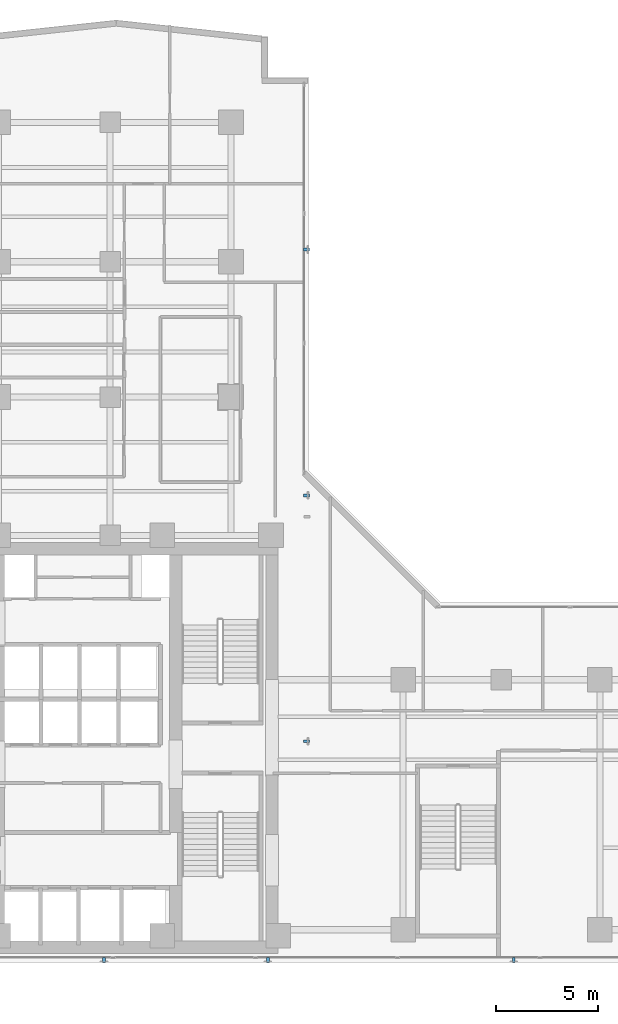
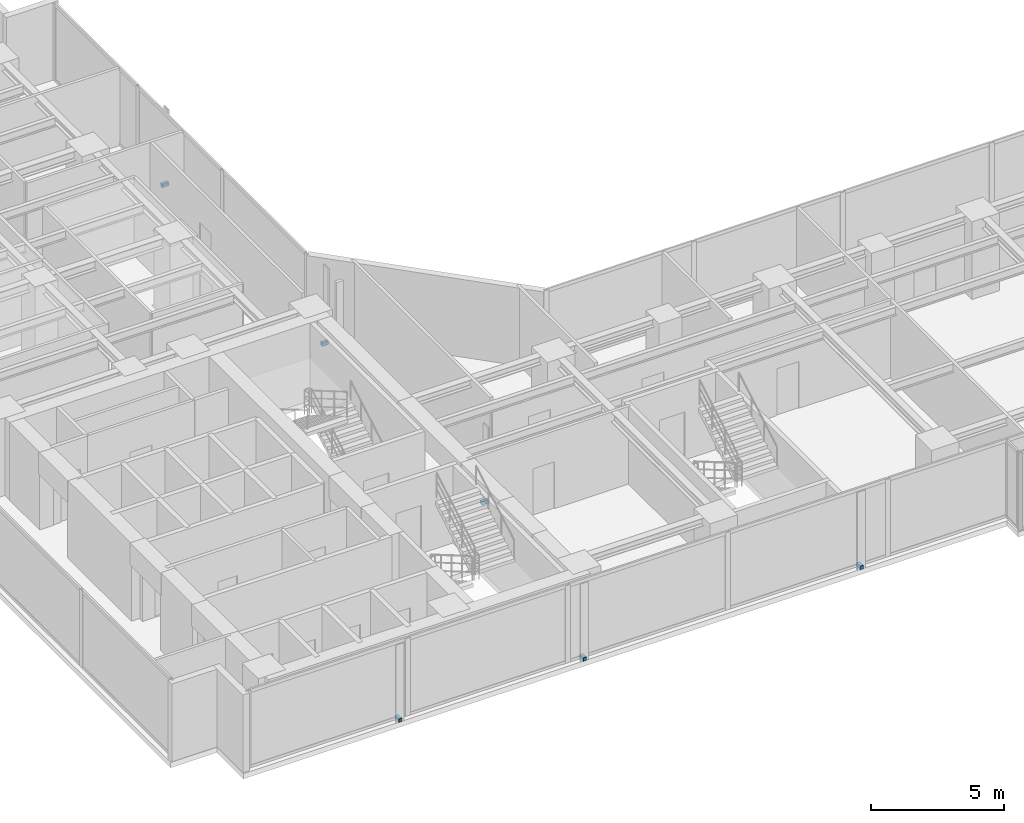
# One storey, part 22 of 26: 6 discrete accessories.
"""IFC4 building model written with IfcOpenShell, lengths in metres."""

from ifc_helpers import new_model, si_unit, direction, frame, origin, origin_with_axes, origin_2d, place, context, subcontext, project, spatial, rectangle, extrude, source, transform, mapped, material, type_object, element, save


model = new_model("IFC4")

# Units and contexts
model_context = context("Model", 3, precision=1e-05, world=origin(), true_north=direction((0.0, 1.0)))
body_context = subcontext(model_context, "Body", "Model", "MODEL_VIEW")
ifc_project = project(units=[si_unit("LENGTHUNIT", "METRE"), si_unit("AREAUNIT", "SQUARE_METRE"), si_unit("VOLUMEUNIT", "CUBIC_METRE"), si_unit("PLANEANGLEUNIT", "RADIAN"), si_unit("MASSUNIT", "GRAM", prefix="KILO")], contexts=[model_context])

# Site, building, storey
site_placement = place(None, origin())
site = spatial("IfcSite", under=ifc_project, at=site_placement, CompositionType="ELEMENT")
building_placement = place(site_placement, origin())
building = spatial("IfcBuilding", under=site, at=building_placement, Name="Kolvaren Waterfront Exchange", CompositionType="ELEMENT")
storey_placement = place(building_placement, frame((0.0, 0.0, 150.0)))
storey = spatial("IfcBuildingStorey", under=building, at=storey_placement, Name="L38", CompositionType="ELEMENT", Elevation=150.0)

# Discrete accessories
ifc_material = material(Name="Stainless steel 316", Category="steel")
discrete_accessory_type = type_object("IfcDiscreteAccessoryType", Name="ARC-BRK-FIN", PredefinedType="BRACKET", material=ifc_material)
shared_shape = source(origin_with_axes(), body_context, "Body", "SweptSolid", [
    extrude(rectangle(XDim=0.280029296875, YDim=0.139892578125, at=origin_2d()), origin(), (0.0, 0.0, 1.0), 0.159912109375),
])
for number, where, z_axis, x_axis, name in (
    (1, (12.60009765625, 3.719970703125, 0.0), (0.0, 0.0, 1.0), (0.0, -1.0, 0.0), "L38 bronze fin anchor bracket FIN-L38-S1"),
    (2, (20.60009765625, 3.719970703125, 0.0), (0.0, 0.0, 1.0), (0.0, -1.0, 0.0), "L38 bronze fin anchor bracket FIN-L38-S2"),
    (3, (32.60009765625, 3.719970703125, 0.0), (0.0, 0.0, 1.0), (0.0, -1.0, 0.0), "L38 bronze fin anchor bracket FIN-L38-S3"),
    (4, (22.47998046875, 14.39990234375, 0.0), (0.0, 0.0, 1.0), (1.0, 0.0, 0.0), "L38 bronze fin anchor bracket FIN-L38-E1"),
    (5, (22.47998046875, 26.39990234375, 0.0), (0.0, 0.0, 1.0), (1.0, 0.0, 0.0), "L38 bronze fin anchor bracket FIN-L38-E2"),
    (6, (22.47998046875, 38.39990234375, 0.0), (0.0, 0.0, 1.0), (1.0, 0.0, 0.0), "L38 bronze fin anchor bracket FIN-L38-E3"),
):
    element("IfcDiscreteAccessory", number, at=place(storey_placement, frame(where, z_axis=z_axis, x_axis=x_axis)), inside=storey, type_object=discrete_accessory_type, Name=name, PredefinedType="BRACKET", context=body_context, shape_type="MappedRepresentation", body=[
        mapped(shared_shape, transform((0.0, 0.0, 0.0), x_axis=(1.0, 0.0, 0.0), y_axis=(0.0, 1.0, 0.0), z_axis=(0.0, 0.0, 1.0), scale=1.0)),
    ])

save(model, "model.ifc")
